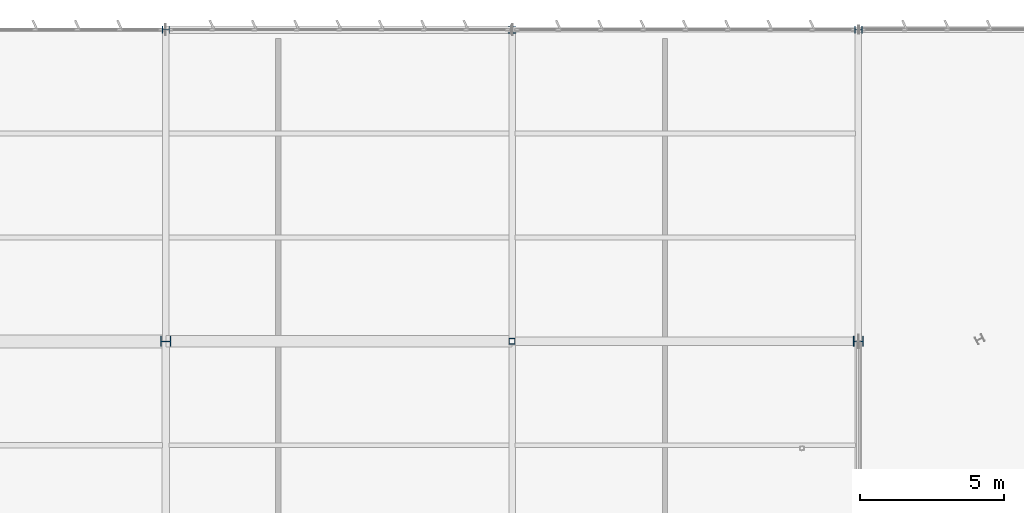
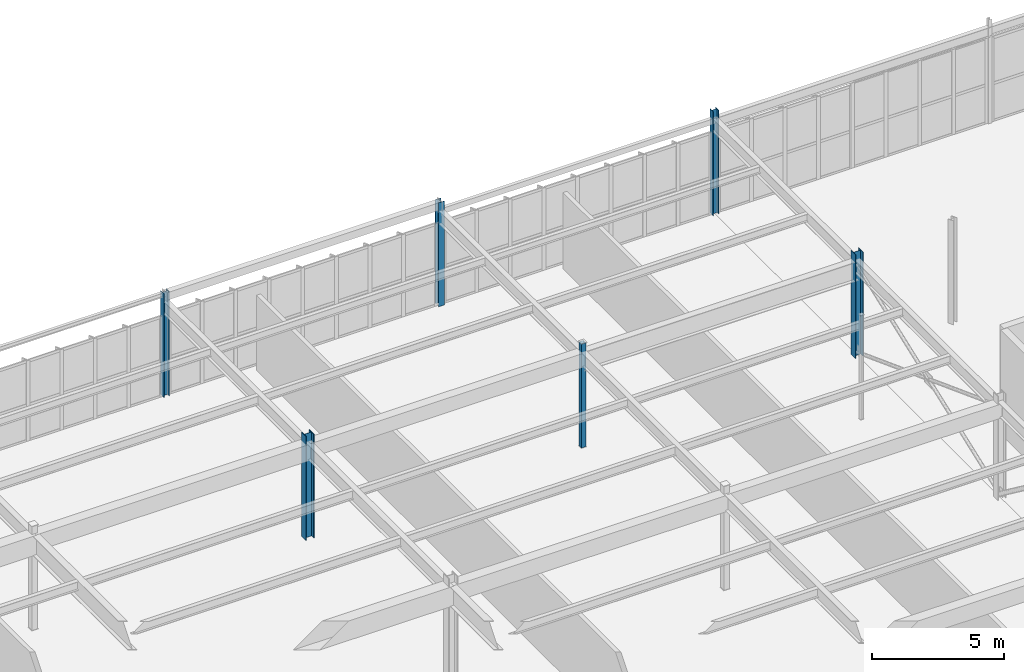
# One storey, part 27 of 226: 6 columns.
"""IFC4 building model written with IfcOpenShell, lengths in metres."""

from ifc_helpers import new_model, si_unit, direction, frame, origin, origin_2d, place, context, subcontext, project, spatial, hollow_rectangle, i_section, extrude, material, material_profile, profile_set, type_object, element, save


model = new_model("IFC4")

# Units and contexts
model_context = context("Model", 3, precision=1e-05, world=origin(), true_north=direction((0.0, 1.0)))
body_context = subcontext(model_context, "Body", "Model", "MODEL_VIEW")
ifc_project = project(units=[si_unit("LENGTHUNIT", "METRE"), si_unit("AREAUNIT", "SQUARE_METRE"), si_unit("VOLUMEUNIT", "CUBIC_METRE"), si_unit("PLANEANGLEUNIT", "RADIAN"), si_unit("MASSUNIT", "GRAM", prefix="KILO")], contexts=[model_context])

# Site, building, storey
site_placement = place(None, origin())
site = spatial("IfcSite", under=ifc_project, at=site_placement, CompositionType="ELEMENT")
building_placement = place(site_placement, origin())
building = spatial("IfcBuilding", under=site, at=building_placement, Name="Tarnwether General Hospital", CompositionType="ELEMENT")
storey_placement = place(building_placement, frame((0.0, 0.0, 4.800048828125)))
storey = spatial("IfcBuildingStorey", under=building, at=storey_placement, Name="L01", CompositionType="ELEMENT", Elevation=4.800048828125)

# Columns
ifc_material_1 = material(Name="Steel Grade 350 (350 MPa)", Category="steel")
ifc_material_profile_1 = material_profile(ifc_material_1, i_section(OverallWidth=0.35009765625, OverallDepth=0.360107421875, WebThickness=0.01611328125, FlangeThickness=0.028076171875, at=origin_2d()), Name="350WC230")
ifc_profile_set_1 = profile_set([ifc_material_profile_1], Name="Steel Grade 350 (350 MPa)")
column_type_1 = type_object("IfcColumnType", Name="COL-03", PredefinedType="COLUMN", material=ifc_profile_set_1)
column_1_placement = place(storey_placement, frame((36.0, 115.199951171875, 0.0), z_axis=(0.0, 0.0, 1.0), x_axis=(0.0, 1.0, 0.0)))
element("IfcColumn", 1, at=column_1_placement, inside=storey, type_object=column_type_1, Name="Column COLG-L01-3600_11520", PredefinedType="COLUMN", context=body_context, shape_type="SweptSolid", body=[
    extrude(i_section(OverallWidth=0.35009765625, OverallDepth=0.360107421875, WebThickness=0.01611328125, FlangeThickness=0.028076171875, at=origin_2d()), origin(), (0.0, 0.0, 1.0), 4.800048828125),
])
ifc_material_2 = material(Name="Steel Grade 350 (350 MPa)", Category="steel")
ifc_material_profile_2 = material_profile(ifc_material_2, i_section(OverallWidth=0.35009765625, OverallDepth=0.35009765625, WebThickness=0.013916015625, FlangeThickness=0.02392578125, at=origin_2d()), Name="350WC197")
ifc_profile_set_2 = profile_set([ifc_material_profile_2], Name="Steel Grade 350 (350 MPa)")
column_type_2 = type_object("IfcColumnType", Name="COL-04", PredefinedType="COLUMN", material=ifc_profile_set_2)
column_2_placement = place(storey_placement, frame((60.0, 115.199951171875, 0.0), z_axis=(0.0, 0.0, 1.0), x_axis=(0.0, 1.0, 0.0)))
element("IfcColumn", 2, at=column_2_placement, inside=storey, type_object=column_type_2, Name="Column COLG-L01-6000_11520", PredefinedType="COLUMN", context=body_context, shape_type="SweptSolid", body=[
    extrude(i_section(OverallWidth=0.35009765625, OverallDepth=0.35009765625, WebThickness=0.013916015625, FlangeThickness=0.02392578125, at=origin_2d()), origin(), (0.0, 0.0, 1.0), 4.800048828125),
])
ifc_material_3 = material(Name="Steel Grade C350L0 (350 MPa)", Category="steel")
ifc_material_profile_3 = material_profile(ifc_material_3, hollow_rectangle(XDim=0.199951171875, YDim=0.199951171875, WallThickness=0.010009765625, at=origin_2d()), Name="SHS200x200x10")
ifc_profile_set_3 = profile_set([ifc_material_profile_3], Name="Steel Grade C350L0 (350 MPa)")
column_type_3 = type_object("IfcColumnType", Name="COL-15", PredefinedType="COLUMN", material=ifc_profile_set_3)
column_3_placement = place(storey_placement, frame((48.0, 115.199951171875, 0.0), z_axis=(0.0, 0.0, 1.0), x_axis=(1.0, 0.0, 0.0)))
element("IfcColumn", 3, at=column_3_placement, inside=storey, type_object=column_type_3, Name="Column COLG-L01-4800_11520", PredefinedType="COLUMN", context=body_context, shape_type="SweptSolid", body=[
    extrude(hollow_rectangle(XDim=0.199951171875, YDim=0.199951171875, WallThickness=0.010009765625, at=origin_2d()), origin(), (0.0, 0.0, 1.0), 4.800048828125),
])
ifc_material_4 = material(Name="Steel Grade 350 (350 MPa)", Category="steel")
ifc_material_profile_4 = material_profile(ifc_material_4, i_section(OverallWidth=0.25390625, OverallDepth=0.25390625, WebThickness=0.008544921875, FlangeThickness=0.01416015625, at=origin_2d()), Name="250UC72.9")
ifc_profile_set_4 = profile_set([ifc_material_profile_4], Name="Steel Grade 350 (350 MPa)")
column_type_4 = type_object("IfcColumnType", Name="COL-24", PredefinedType="COLUMN", material=ifc_profile_set_4)
for number, where, z_axis, x_axis, name in (
    (4, (36.0, 126.0, 0.0), (0.0, 0.0, 1.0), (0.0, 1.0, 0.0), "Column COLG-L01-3600_12600"),
    (5, (48.0, 126.0, 0.0), (0.0, 0.0, 1.0), (1.0, 0.0, 0.0), "Column COLG-L01-4800_12600"),
    (6, (60.0, 126.0, 0.0), (0.0, 0.0, 1.0), (0.0, 1.0, 0.0), "Column COLG-L01-6000_12600"),
):
    element("IfcColumn", number, at=place(storey_placement, frame(where, z_axis=z_axis, x_axis=x_axis)), inside=storey, type_object=column_type_4, Name=name, PredefinedType="COLUMN", context=body_context, shape_type="SweptSolid", body=[
        extrude(i_section(OverallWidth=0.25390625, OverallDepth=0.25390625, WebThickness=0.008544921875, FlangeThickness=0.01416015625, at=origin_2d()), origin(), (0.0, 0.0, 1.0), 4.800048828125),
    ])

save(model, "model.ifc")
